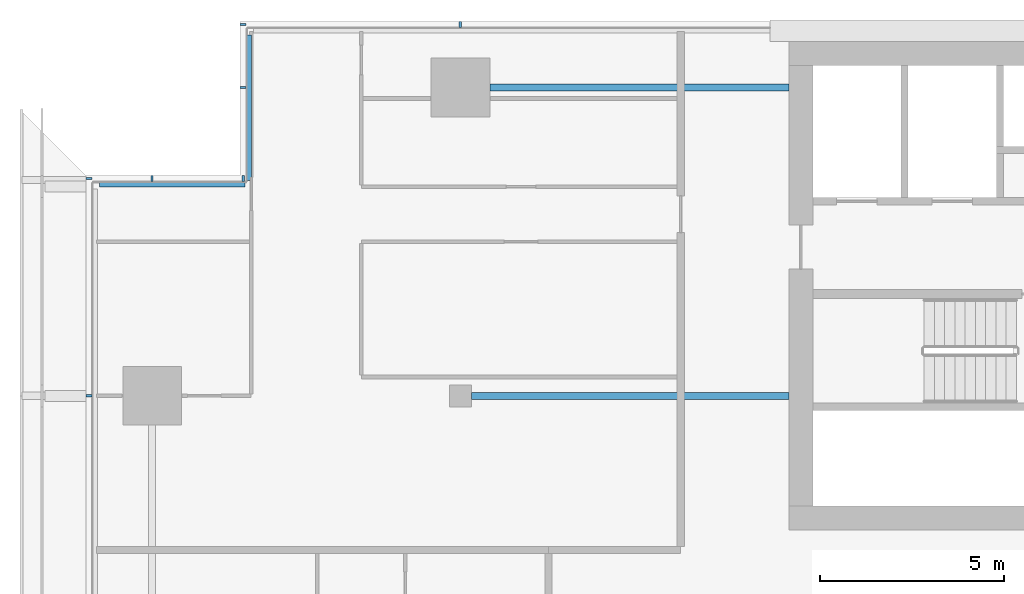
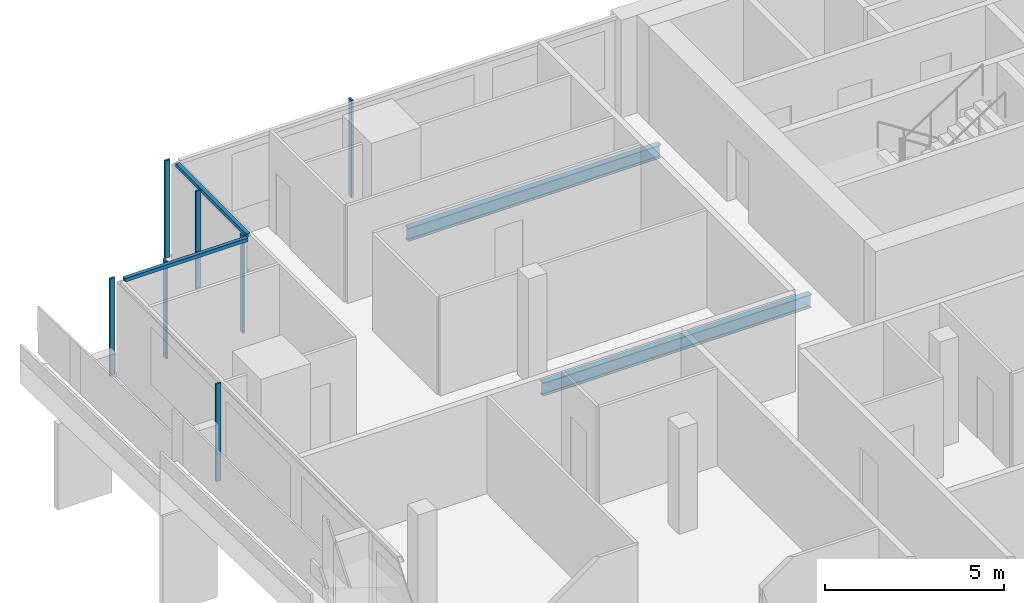
# One storey, part 8 of 29: 9 members, 2 beams, 4 elements without a shape of their own.
"""IFC4 building model written with IfcOpenShell, lengths in metres."""

from ifc_helpers import new_model, si_unit, direction, frame, origin, origin_2d, place, context, subcontext, project, spatial, rectangle, i_section, extrude, material, material_profile, profile_set, type_object, element, aggregate, save


model = new_model("IFC4")

# Units and contexts
model_context = context("Model", 3, precision=1e-05, world=origin(), true_north=direction((0.0, 1.0)))
body_context = subcontext(model_context, "Body", "Model", "MODEL_VIEW")
ifc_project = project(units=[si_unit("LENGTHUNIT", "METRE"), si_unit("AREAUNIT", "SQUARE_METRE"), si_unit("VOLUMEUNIT", "CUBIC_METRE"), si_unit("PLANEANGLEUNIT", "RADIAN"), si_unit("MASSUNIT", "GRAM", prefix="KILO")], contexts=[model_context])

# Site, building, storey
site_placement = place(None, origin())
site = spatial("IfcSite", under=ifc_project, at=site_placement, CompositionType="ELEMENT")
building_placement = place(site_placement, origin())
building = spatial("IfcBuilding", under=site, at=building_placement, Name="Saffron Gate Tower", CompositionType="ELEMENT")
storey_placement = place(building_placement, frame((0.0, 0.0, 219.89990234375)))
storey = spatial("IfcBuildingStorey", under=building, at=storey_placement, Name="L53", CompositionType="ELEMENT", Elevation=219.89990234375)

# Beams
ifc_material_1 = material(Name="Structural steel S355", Category="steel")
ifc_material_profile_1 = material_profile(ifc_material_1, i_section(OverallWidth=0.18994140625, OverallDepth=0.449951171875, WebThickness=0.009521484375, FlangeThickness=0.0146484375, FilletRadius=0.02099609375, at=origin_2d()))
ifc_profile_set_1 = profile_set([ifc_material_profile_1], Name="Structural steel S355")
beam_type = type_object("IfcBeamType", Name="B6 IPE 450", PredefinedType="BEAM", material=ifc_profile_set_1)
beam_1_placement = place(storey_placement, frame((58.5, 65.39990234375, -0.5048828125), z_axis=(1.0, 0.0, 0.0), x_axis=(0.0, 1.0, 0.0)))
element("IfcBeam", 1, at=beam_1_placement, inside=storey, type_object=beam_type, Name="B6 CORE TIE BEAM", PredefinedType="BEAM", context=body_context, shape_type="SweptSolid", body=[
    extrude(i_section(OverallWidth=0.18994140625, OverallDepth=0.449951171875, WebThickness=0.009521484375, FlangeThickness=0.0146484375, FilletRadius=0.02099609375, at=origin_2d()), origin(), (0.0, 0.0, 1.0), 8.64990234375),
])
beam_2_placement = place(storey_placement, frame((59.0, 73.800048828125, -0.5048828125), z_axis=(1.0, 0.0, 0.0), x_axis=(0.0, 1.0, 0.0)))
element("IfcBeam", 2, at=beam_2_placement, inside=storey, type_object=beam_type, Name="B6 CORE TIE BEAM", PredefinedType="BEAM", context=body_context, shape_type="SweptSolid", body=[
    extrude(i_section(OverallWidth=0.18994140625, OverallDepth=0.449951171875, WebThickness=0.009521484375, FlangeThickness=0.0146484375, FilletRadius=0.02099609375, at=origin_2d()), origin(), (0.0, 0.0, 1.0), 8.14990234375),
])

# Curtain wall, members
ifc_material_2 = material(Name="Aluminium, bronze anodised", Category="aluminium")
curtain_wall_type_1 = type_object("IfcCurtainWallType", Name="CWS2 curtain wall side facades", PredefinedType="NOTDEFINED", material=ifc_material_2)
curtain_wall_1_placement = place(storey_placement, origin())
curtain_wall_1 = element("IfcCurtainWall", 3, at=curtain_wall_1_placement, inside=storey, type_object=curtain_wall_type_1, Name="CWS2 run 10", PredefinedType="NOTDEFINED")
ifc_material_profile_2 = material_profile(ifc_material_2, rectangle(XDim=0.159912109375, YDim=0.06005859375, at=origin_2d()))
ifc_profile_set_2 = profile_set([ifc_material_profile_2], Name="Aluminium, bronze anodised")
member_type_1 = type_object("IfcMemberType", Name="CWS2 mullion 60x160", PredefinedType="MULLION", material=ifc_profile_set_2)
member_1_placement = place(storey_placement, frame((48.080078125, 71.320068359375, 0.0), z_axis=(0.0, 0.0, 1.0), x_axis=(1.0, 0.0, 0.0)))
member_1 = element("IfcMember", 4, at=member_1_placement, type_object=member_type_1, Name="CWS2 mullion 1", PredefinedType="MULLION", context=body_context, shape_type="SweptSolid", body=[
    extrude(rectangle(XDim=0.159912109375, YDim=0.06005859375, at=origin_2d()), origin(), (0.0, 0.0, 1.0), 3.320068359375),
])
member_2_placement = place(storey_placement, frame((48.080078125, 65.39990234375, 0.0), z_axis=(0.0, 0.0, 1.0), x_axis=(1.0, 0.0, 0.0)))
member_2 = element("IfcMember", 5, at=member_2_placement, type_object=member_type_1, Name="CWS2 mullion 2", PredefinedType="MULLION", context=body_context, shape_type="SweptSolid", body=[
    extrude(rectangle(XDim=0.159912109375, YDim=0.06005859375, at=origin_2d()), origin(), (0.0, 0.0, 1.0), 3.320068359375),
])
aggregate(curtain_wall_1, [member_1, member_2])

# Curtain wall, member
curtain_wall_type_2 = type_object("IfcCurtainWallType", Name="CWS3 curtain wall rear facade", PredefinedType="NOTDEFINED", material=ifc_material_2)
curtain_wall_2_placement = place(storey_placement, origin())
curtain_wall_2 = element("IfcCurtainWall", 6, at=curtain_wall_2_placement, inside=storey, type_object=curtain_wall_type_2, Name="CWS3 run 7", PredefinedType="NOTDEFINED")
ifc_material_profile_3 = material_profile(ifc_material_2, rectangle(XDim=0.159912109375, YDim=0.070068359375, at=origin_2d()))
ifc_profile_set_3 = profile_set([ifc_material_profile_3], Name="Aluminium, bronze anodised")
member_type_2 = type_object("IfcMemberType", Name="CWS3 mullion 70x160", PredefinedType="MULLION", material=ifc_profile_set_3)
member_3_placement = place(storey_placement, frame((58.199951171875, 75.52001953125, 0.0), z_axis=(0.0, 0.0, 1.0), x_axis=(0.0, -1.0, 0.0)))
member_3 = element("IfcMember", 7, at=member_3_placement, type_object=member_type_2, Name="CWS3 mullion 9", PredefinedType="MULLION", context=body_context, shape_type="SweptSolid", body=[
    extrude(rectangle(XDim=0.159912109375, YDim=0.070068359375, at=origin_2d()), origin(), (0.0, 0.0, 1.0), 3.320068359375),
])
aggregate(curtain_wall_2, [member_3])

curtain_wall_type_3 = type_object("IfcCurtainWallType", Name="CWS4 curtain wall corner returns", PredefinedType="NOTDEFINED", material=ifc_material_2)
curtain_wall_3_placement = place(storey_placement, origin())
curtain_wall_3 = element("IfcCurtainWall", 8, at=curtain_wall_3_placement, inside=storey, type_object=curtain_wall_type_3, Name="CWS4 run 8", PredefinedType="NOTDEFINED")
ifc_material_profile_4 = material_profile(ifc_material_2, rectangle(XDim=0.1201171875, YDim=0.1201171875, at=origin_2d()))
ifc_profile_set_4 = profile_set([ifc_material_profile_4], Name="Aluminium, bronze anodised")
member_type_3 = type_object("IfcMemberType", Name="CWS4 head transom", PredefinedType="USERDEFINED", material=ifc_profile_set_4)
member_4_placement = place(storey_placement, frame((52.447998046875, 75.23193359375, 3.260009765625), z_axis=(0.0, -1.0, 0.0), x_axis=(1.0, 0.0, 0.0)))
member_4 = element("IfcMember", 9, at=member_4_placement, type_object=member_type_3, Name="CWS4 head transom", ObjectType="TRANSOM", PredefinedType="USERDEFINED", context=body_context, shape_type="SweptSolid", body=[
    extrude(rectangle(XDim=0.1201171875, YDim=0.1201171875, at=origin_2d()), origin(), (0.0, 0.0, 1.0), 3.9599609375),
])

curtain_wall_4_placement = place(storey_placement, origin())
curtain_wall_4 = element("IfcCurtainWall", 10, at=curtain_wall_4_placement, inside=storey, type_object=curtain_wall_type_3, Name="CWS4 run 9", PredefinedType="NOTDEFINED")
member_5_placement = place(storey_placement, frame((52.327880859375, 71.152099609375, 3.260009765625), z_axis=(-1.0, 0.0, 0.0), x_axis=(0.0, -1.0, 0.0)))
member_5 = element("IfcMember", 11, at=member_5_placement, type_object=member_type_3, Name="CWS4 head transom", ObjectType="TRANSOM", PredefinedType="USERDEFINED", context=body_context, shape_type="SweptSolid", body=[
    extrude(rectangle(XDim=0.1201171875, YDim=0.1201171875, at=origin_2d()), origin(), (0.0, 0.0, 1.0), 3.9599609375),
])

# Member
ifc_material_profile_5 = material_profile(ifc_material_2, rectangle(XDim=0.159912109375, YDim=0.06005859375, at=origin_2d()))
ifc_profile_set_5 = profile_set([ifc_material_profile_5], Name="Aluminium, bronze anodised")
member_type_4 = type_object("IfcMemberType", Name="CWS4 mullion 60x160", PredefinedType="MULLION", material=ifc_profile_set_5)
member_6_placement = place(storey_placement, frame((52.280029296875, 75.52001953125, 0.0), z_axis=(0.0, 0.0, 1.0), x_axis=(1.0, 0.0, 0.0)))
member_6 = element("IfcMember", 12, at=member_6_placement, type_object=member_type_4, Name="CWS4 mullion 1", PredefinedType="MULLION", context=body_context, shape_type="SweptSolid", body=[
    extrude(rectangle(XDim=0.159912109375, YDim=0.06005859375, at=origin_2d()), origin(), (0.0, 0.0, 1.0), 3.320068359375),
])

member_7_placement = place(storey_placement, frame((52.280029296875, 73.800048828125, 0.0), z_axis=(0.0, 0.0, 1.0), x_axis=(1.0, 0.0, 0.0)))
member_7 = element("IfcMember", 13, at=member_7_placement, type_object=member_type_4, Name="CWS4 mullion 2", PredefinedType="MULLION", context=body_context, shape_type="SweptSolid", body=[
    extrude(rectangle(XDim=0.159912109375, YDim=0.06005859375, at=origin_2d()), origin(), (0.0, 0.0, 1.0), 3.320068359375),
])

aggregate(curtain_wall_3, [member_6, member_7, member_4])

member_8_placement = place(storey_placement, frame((52.280029296875, 71.320068359375, 0.0), z_axis=(0.0, 0.0, 1.0), x_axis=(0.0, -1.0, 0.0)))
member_8 = element("IfcMember", 14, at=member_8_placement, type_object=member_type_4, Name="CWS4 mullion 1", PredefinedType="MULLION", context=body_context, shape_type="SweptSolid", body=[
    extrude(rectangle(XDim=0.159912109375, YDim=0.06005859375, at=origin_2d()), origin(), (0.0, 0.0, 1.0), 3.320068359375),
])

member_9_placement = place(storey_placement, frame((49.800048828125, 71.320068359375, 0.0), z_axis=(0.0, 0.0, 1.0), x_axis=(0.0, -1.0, 0.0)))
member_9 = element("IfcMember", 15, at=member_9_placement, type_object=member_type_4, Name="CWS4 mullion 2", PredefinedType="MULLION", context=body_context, shape_type="SweptSolid", body=[
    extrude(rectangle(XDim=0.159912109375, YDim=0.06005859375, at=origin_2d()), origin(), (0.0, 0.0, 1.0), 3.320068359375),
])

aggregate(curtain_wall_4, [member_8, member_9, member_5])

save(model, "model.ifc")
